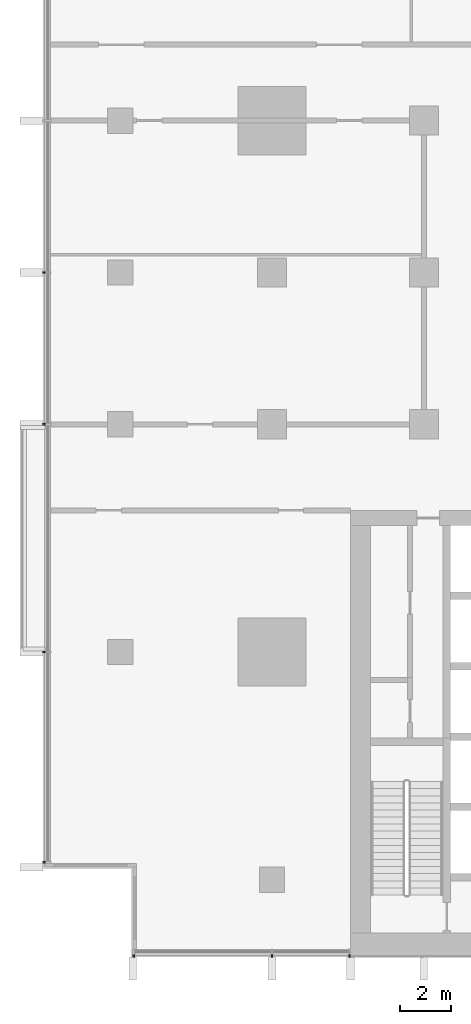
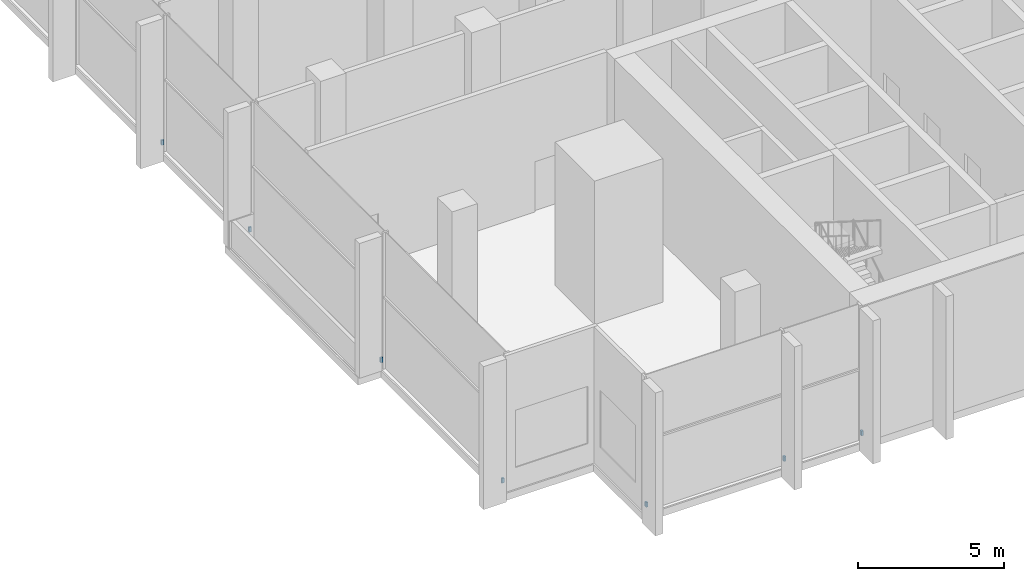
# One storey, part 11 of 16: 7 discrete accessories.
"""IFC4 building model written with IfcOpenShell, lengths in metres."""

import ifcopenshell
import ifcopenshell.guid

model = None  # the IFC model being written
_history = None  # IfcOwnerHistory: only IFC2X3 demands one
_inside = {}  # id of a spatial element -> (the spatial element, [elements in it])
_under = {}  # id of a project, library or spatial element -> (it, [spatial elements below it])
_declared = {}  # id of a project -> (the project, [libraries it declares])
_typed = {}  # id of a type object -> (the type object, [elements of that type])
_made_of = {}  # id of a material, layer set ... -> (it, [elements and type objects made of it])


def new_model(schema):
    """Start an empty IFC model of exactly this schema.

    Asked for "IFC4X3", IfcOpenShell would pick the latest addendum, in which some entities
    have other attributes; the version numbers below select the first issue.
    IFC2X3 requires an IfcOwnerHistory on every rooted entity: one is made here for all.
    """
    global model, _history
    if schema == "IFC4X3":
        model = ifcopenshell.file(schema_version=(4, 3, 0, 0))
    else:
        model = ifcopenshell.file(schema=schema)
    _inside.clear()
    _under.clear()
    _declared.clear()
    _typed.clear()
    _made_of.clear()
    _history = None
    if model.schema == "IFC2X3":
        org = make("IfcOrganization", Name="unknown")
        user = make(
            "IfcPersonAndOrganization",
            ThePerson=make("IfcPerson", FamilyName="unknown"),
            TheOrganization=org,
        )
        app = make(
            "IfcApplication",
            ApplicationDeveloper=org,
            Version="unknown",
            ApplicationFullName="unknown",
            ApplicationIdentifier="unknown",
        )
        _history = make(
            "IfcOwnerHistory",
            OwningUser=user,
            OwningApplication=app,
            ChangeAction="ADDED",
            CreationDate=0,
        )
    return model


def make(cls, **values):
    """One entity of the class cls with the attributes given. An attribute that is None is left unset."""
    return model.create_entity(
        cls, **{name: value for name, value in values.items() if value is not None}
    )


def rooted(cls, **values):
    """An entity with a GlobalId (a new one), such as an element, a storey or a relation."""
    return make(cls, GlobalId=ifcopenshell.guid.new(), OwnerHistory=_history, **values)


def si_unit(unit_type, name, prefix=None):
    """IfcSIUnit, for example si_unit("LENGTHUNIT", "METRE", prefix="MILLI")."""
    return make("IfcSIUnit", UnitType=unit_type, Prefix=prefix, Name=name)


def assignment(units):
    """IfcUnitAssignment: the units of a project."""
    return None if units is None else make("IfcUnitAssignment", Units=units)


def point(xyz):
    """IfcCartesianPoint."""
    return None if xyz is None else make("IfcCartesianPoint", Coordinates=xyz)


def direction(xyz):
    """IfcDirection."""
    return None if xyz is None else make("IfcDirection", DirectionRatios=xyz)


def frame(location, z_axis=None, x_axis=None):
    """IfcAxis2Placement3D, a coordinate frame: its origin and axes. An axis left out is left unset."""
    return make(
        "IfcAxis2Placement3D",
        Location=point(location),
        Axis=direction(z_axis),
        RefDirection=direction(x_axis),
    )


def frame_2d(location, x_axis=None):
    """IfcAxis2Placement2D, a coordinate frame in the plane: its origin and x axis."""
    return make(
        "IfcAxis2Placement2D", Location=point(location), RefDirection=direction(x_axis)
    )


def origin():
    """The frame at (0, 0, 0) with its axes left unset."""
    return frame((0.0, 0.0, 0.0))


def origin_2d():
    """The frame at (0, 0) in the plane with its x axis left unset."""
    return frame_2d((0.0, 0.0))


def place(relative_to, where):
    """IfcLocalPlacement: puts the frame where relative to a parent placement (None: the world)."""
    return make(
        "IfcLocalPlacement", PlacementRelTo=relative_to, RelativePlacement=where
    )


def context(
    kind, dimensions, precision=None, world=None, true_north=None, identifier=None
):
    """IfcGeometricRepresentationContext, for example the 3D "Model" context."""
    return make(
        "IfcGeometricRepresentationContext",
        ContextIdentifier=identifier,
        ContextType=kind,
        CoordinateSpaceDimension=dimensions,
        Precision=precision,
        WorldCoordinateSystem=world,
        TrueNorth=true_north,
    )


def subcontext(parent, identifier, kind, view, scale=None):
    """IfcGeometricRepresentationSubContext, for example "Body" below "Model"."""
    return make(
        "IfcGeometricRepresentationSubContext",
        ContextIdentifier=identifier,
        ContextType=kind,
        ParentContext=parent,
        TargetScale=scale,
        TargetView=view,
    )


def project(units=None, contexts=None):
    """IfcProject with its units and contexts."""
    return rooted(
        "IfcProject",
        Name="project",
        RepresentationContexts=contexts,
        UnitsInContext=assignment(units),
    )


def spatial(cls, under=None, at=None, **own):
    """A site, building, storey or space (cls), placed at a placement, below another one or the project."""
    s = rooted(cls, ObjectPlacement=at, **own)
    if under is not None:
        _under.setdefault(under.id(), (under, []))[1].append(s)
    return s


def profile(cls, at=None, kind="AREA", **sizes):
    """A parametric profile (cls). Its sizes go by their IFC names, for example OverallWidth=200.0."""
    return make(cls, ProfileType=kind, Position=at, **sizes)


def rectangle(**sizes):
    """IfcRectangleProfileDef."""
    return profile("IfcRectangleProfileDef", **sizes)


def extrude(swept, where, along, depth):
    """IfcExtrudedAreaSolid: the profile swept, set in the frame where, extruded along a direction by depth."""
    return make(
        "IfcExtrudedAreaSolid",
        SweptArea=swept,
        Position=where,
        ExtrudedDirection=direction(along),
        Depth=depth,
    )


def shape(context_of_items, identifier, shape_type, items):
    """IfcShapeRepresentation: the items that make up one representation, for example the "Body"."""
    return make(
        "IfcShapeRepresentation",
        ContextOfItems=context_of_items,
        RepresentationIdentifier=identifier,
        RepresentationType=shape_type,
        Items=items,
    )


def material(Name=None, Category=None):
    """IfcMaterial."""
    return make("IfcMaterial", Name=Name, Category=Category)


def made_of(thing, what):
    """Note that an element or type object is made of a material, layer set ...; save() writes the relation."""
    if what is not None:
        _made_of.setdefault(what.id(), (what, []))[1].append(thing)
    return thing


def type_object(cls, material=None, **own):
    """A type object (cls), such as IfcWallType, which elements share."""
    return made_of(rooted(cls, **own), material)


def element(
    cls,
    number,
    at=None,
    inside=None,
    cuts=None,
    type_object=None,
    material=None,
    context=None,
    identifier="Body",
    shape_type=None,
    held_by="IfcProductDefinitionShape",
    body=None,
    shapes=None,
    **own,
):
    """One element of the class cls, such as IfcWall. Its Tag is "e" and its number.

    at: its placement. inside: the storey or other place that contains it. cuts: it is an
    opening in that element (IfcRelVoidsElement). A single representation is given by context,
    identifier, shape_type and body (its items); several are given by shapes. held_by: the class
    of the entity that holds the representations. save() writes the other relations.
    """
    e = rooted(cls, Tag="e%d" % number, ObjectPlacement=at, **own)
    if body is not None:
        shapes = [shape(context, identifier, shape_type, body)]
    if shapes is not None:
        e.Representation = make(held_by, Representations=shapes)
    if inside is not None:
        _inside.setdefault(inside.id(), (inside, []))[1].append(e)
    if cuts is not None:
        rooted(
            "IfcRelVoidsElement", RelatingBuildingElement=cuts, RelatedOpeningElement=e
        )
    if type_object is not None:
        _typed.setdefault(type_object.id(), (type_object, []))[1].append(e)
    return made_of(e, material)


def aggregate(whole, parts):
    """IfcRelAggregates: a whole, such as a stair, and the parts it consists of."""
    return rooted("IfcRelAggregates", RelatingObject=whole, RelatedObjects=parts)


def save(model, path):
    """Write the relations noted so far, then the file.

    IfcRelAggregates (storeys below a building ...), IfcRelContainedInSpatialStructure (elements
    in a storey), IfcRelDefinesByType, IfcRelAssociatesMaterial and IfcRelDeclares: one each for
    every whole, place, type object, material and project.
    """
    for whole, parts in _under.values():
        aggregate(whole, parts)
    for where, things in _inside.values():
        rooted(
            "IfcRelContainedInSpatialStructure",
            RelatedElements=things,
            RelatingStructure=where,
        )
    for kind, things in _typed.values():
        rooted("IfcRelDefinesByType", RelatedObjects=things, RelatingType=kind)
    for what, things in _made_of.values():
        rooted("IfcRelAssociatesMaterial", RelatedObjects=things, RelatingMaterial=what)
    for by, libraries in _declared.values():
        rooted("IfcRelDeclares", RelatingContext=by, RelatedDefinitions=libraries)
    model.write(path)


model = new_model("IFC4")

# Units and contexts
model_context = context("Model", 3, precision=1e-05, world=origin(), true_north=direction((0.0, 1.0)))
body_context = subcontext(model_context, "Body", "Model", "MODEL_VIEW")
ifc_project = project(units=[si_unit("LENGTHUNIT", "METRE"), si_unit("AREAUNIT", "SQUARE_METRE"), si_unit("VOLUMEUNIT", "CUBIC_METRE"), si_unit("PLANEANGLEUNIT", "RADIAN"), si_unit("MASSUNIT", "GRAM", prefix="KILO")], contexts=[model_context])

# Site, building, storey
site_placement = place(None, origin())
site = spatial("IfcSite", under=ifc_project, at=site_placement, CompositionType="ELEMENT")
building_placement = place(site_placement, origin())
building = spatial("IfcBuilding", under=site, at=building_placement, Name="Finial Court Residences", CompositionType="ELEMENT")
storey_placement = place(building_placement, frame((0.0, 0.0, 127.89990234375)))
storey = spatial("IfcBuildingStorey", under=building, at=storey_placement, Name="L32", CompositionType="ELEMENT", Elevation=127.89990234375)

# Discrete accessories
ifc_material = material(Name="Stainless steel 316", Category="steel")
discrete_accessory_type = type_object("IfcDiscreteAccessoryType", Name="Fin bracket, stainless steel 75 x 98 x 200", PredefinedType="BRACKET", material=ifc_material)
for number, where, z_axis, x_axis, name in (
    (1, (-21.96240234375, -25.51123046875, 0.30029296875), (0.0, 0.0, 1.0), (1.0, 0.0, 0.0), "E-L32-FIN-S16-BRK"),
    (2, (-16.5, -25.51123046875, 0.30029296875), (0.0, 0.0, 1.0), (1.0, 0.0, 0.0), "E-L32-FIN-S17-BRK"),
    (3, (-13.4375, -25.51123046875, 0.30029296875), (0.0, 0.0, 1.0), (1.0, 0.0, 0.0), "E-L32-FIN-S18-BRK"),
):
    element("IfcDiscreteAccessory", number, at=place(storey_placement, frame(where, z_axis=z_axis, x_axis=x_axis)), inside=storey, type_object=discrete_accessory_type, Name=name, PredefinedType="BRACKET", context=body_context, shape_type="SweptSolid", body=[
        extrude(rectangle(XDim=0.074951171875, YDim=0.097412109375, at=origin_2d()), origin(), (0.0, 0.0, 1.0), 0.199951171875),
    ])
for number, where, z_axis, x_axis, name in (
    (4, (-25.51123046875, -21.8125, 0.30029296875), (0.0, 0.0, 1.0), (1.0, 0.0, 0.0), "E-L32-FIN-W26-BRK"),
    (5, (-25.51123046875, -13.5, 0.30029296875), (0.0, 0.0, 1.0), (1.0, 0.0, 0.0), "E-L32-FIN-W27-BRK"),
    (6, (-25.51123046875, -4.5, 0.30029296875), (0.0, 0.0, 1.0), (1.0, 0.0, 0.0), "E-L32-FIN-W28-BRK"),
    (7, (-25.51123046875, 1.5, 0.30029296875), (0.0, 0.0, 1.0), (1.0, 0.0, 0.0), "E-L32-FIN-W29-BRK"),
):
    element("IfcDiscreteAccessory", number, at=place(storey_placement, frame(where, z_axis=z_axis, x_axis=x_axis)), inside=storey, type_object=discrete_accessory_type, Name=name, PredefinedType="BRACKET", context=body_context, shape_type="SweptSolid", body=[
        extrude(rectangle(XDim=0.097412109375, YDim=0.074951171875, at=origin_2d()), origin(), (0.0, 0.0, 1.0), 0.199951171875),
    ])

save(model, "model.ifc")
